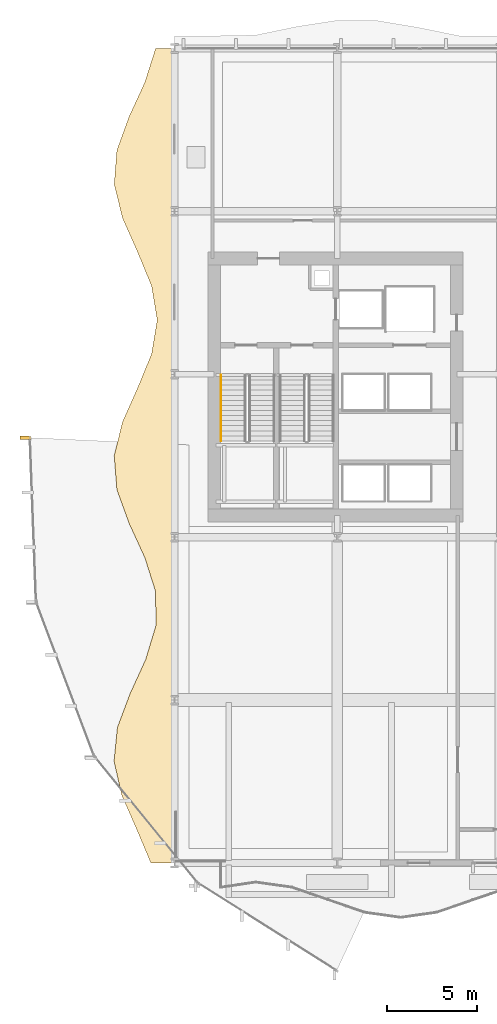
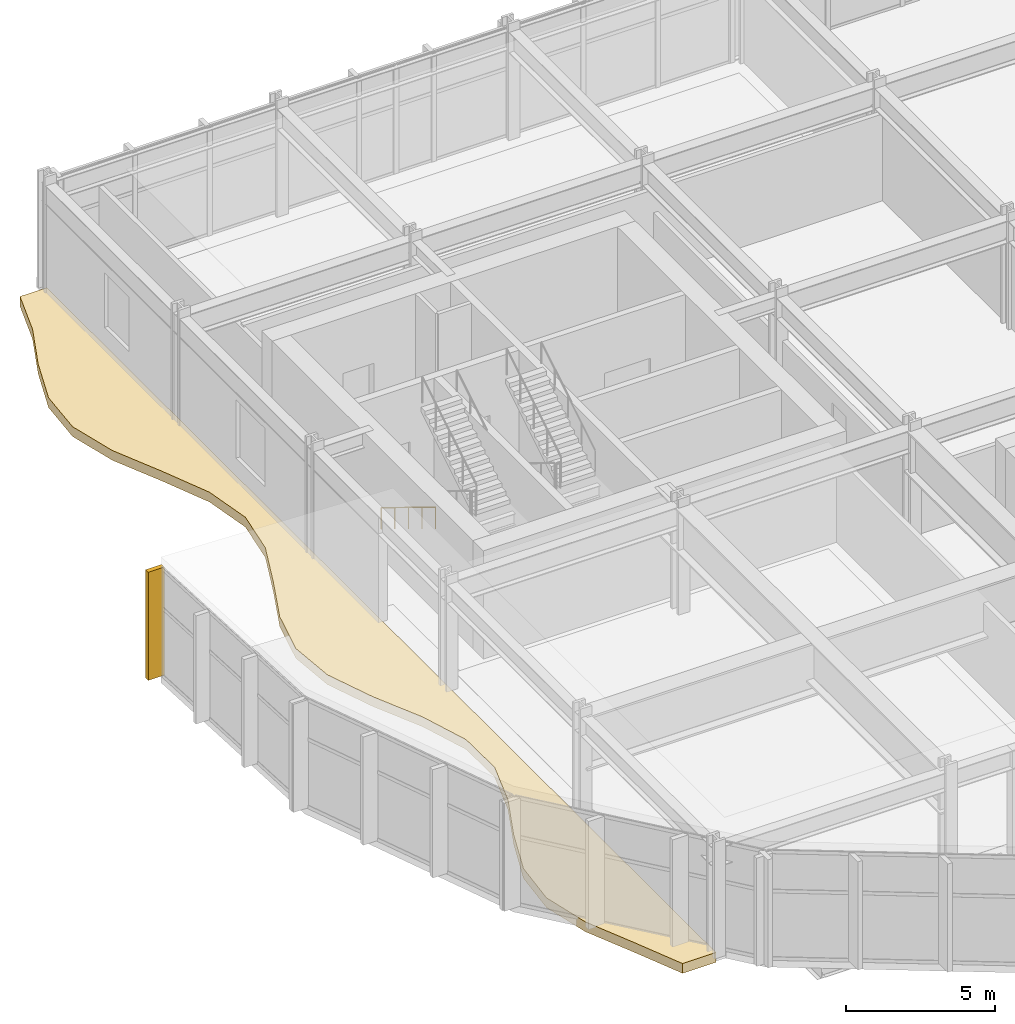
# One storey, part 26 of 31: 2 coverings, 1 railing.
"""IFC4 building model written with IfcOpenShell, lengths in metres."""

from ifc_helpers import new_model, si_unit, direction, frame, origin, origin_2d, place, context, subcontext, project, spatial, polyline, rectangle, circle, outline, extrude, material, layer, layer_set, type_object, element, save


model = new_model("IFC4")

# Units and contexts
model_context = context("Model", 3, precision=1e-05, world=origin(), true_north=direction((0.0, 1.0)))
body_context = subcontext(model_context, "Body", "Model", "MODEL_VIEW")
ifc_project = project(units=[si_unit("LENGTHUNIT", "METRE"), si_unit("AREAUNIT", "SQUARE_METRE"), si_unit("VOLUMEUNIT", "CUBIC_METRE"), si_unit("PLANEANGLEUNIT", "RADIAN"), si_unit("MASSUNIT", "GRAM", prefix="KILO")], contexts=[model_context])

# Site, building, storey
site_placement = place(None, origin())
site = spatial("IfcSite", under=ifc_project, at=site_placement, CompositionType="ELEMENT")
building_placement = place(site_placement, origin())
building = spatial("IfcBuilding", under=site, at=building_placement, Name="Solvaryn Broadcast Tower", CompositionType="ELEMENT")
storey_placement = place(building_placement, frame((0.0, 0.0, 26.0)))
storey = spatial("IfcBuildingStorey", under=building, at=storey_placement, Name="L05", CompositionType="ELEMENT", Elevation=26.0)

# Coverings
ifc_material_1 = material(Name="Extruded Architectural Terracotta Fin", Category="masonry")
ifc_layer_1 = layer(ifc_material_1, 0.179931640625)
ifc_layer_set_1 = layer_set([ifc_layer_1], Name="CV-TC-FIN")
covering_type_1 = type_object("IfcCoveringType", Name="CV-TC-FIN", PredefinedType="USERDEFINED", material=ifc_layer_set_1)
covering_1_placement = place(storey_placement, frame((0.778076171875, 32.489013671875, 0.0), z_axis=(0.0, 0.0, 1.0), x_axis=(1.0, 0.0, 0.0)))
element("IfcCovering", 1, at=covering_1_placement, inside=storey, type_object=covering_type_1, Name="L05 Terracotta Vertical Fin FIN-POD-L05-DC1-00", ObjectType="FIN", PredefinedType="USERDEFINED", context=body_context, shape_type="SweptSolid", body=[
    extrude(rectangle(XDim=0.6201171875, YDim=0.179931640625, at=origin_2d()), origin(), (0.0, 0.0, 1.0), 4.43994140625),
])
ifc_material_2 = material(Name="Sculpted Architectural Terracotta Wave Fascia", Category="masonry")
ifc_layer_2 = layer(ifc_material_2, 0.340087890625)
ifc_layer_set_2 = layer_set([ifc_layer_2], Name="CV-WAVE-TRAY")
covering_type_2 = type_object("IfcCoveringType", Name="CV-WAVE-TRAY", PredefinedType="CLADDING", material=ifc_layer_set_2)
covering_2_placement = place(storey_placement, frame((0.0, 0.0, -0.360107421875)))
element("IfcCovering", 2, at=covering_2_placement, inside=storey, type_object=covering_type_2, Name="L05 Spreading Wave Tray Apron W", PredefinedType="CLADDING", context=body_context, shape_type="SweptSolid", body=[
    extrude(outline(polyline([(9.0, 9.0), (9.0, 10.875), (9.0, 12.75), (9.0, 14.625), (9.0, 16.5), (9.0, 18.375), (9.0, 20.25), (9.0, 22.125), (9.0, 24.0), (9.0, 25.875), (9.0, 27.75), (9.0, 29.625), (9.0, 31.5), (9.0, 33.375), (9.0, 35.25), (9.0, 37.125), (9.0, 39.0), (9.0, 40.875), (9.0, 42.75), (9.0, 44.625), (9.0, 46.5), (9.0, 48.375), (9.0, 50.25), (9.0, 52.125), (9.0, 54.0), (7.958984375, 54.0), (7.363037109375, 52.125), (6.501953125, 50.25), (5.821044921875, 48.375), (5.673095703125, 46.5), (6.135009765625, 44.625), (6.968017578125, 42.75), (7.739013671875, 40.875), (8.050048828125, 39.0), (7.739013671875, 37.125), (6.968017578125, 35.25), (6.135009765625, 33.375), (5.673095703125, 31.5), (5.821044921875, 29.625), (6.501953125, 27.75), (7.363037109375, 25.875), (7.958984375, 24.0), (7.97998046875, 22.125), (7.416015625, 20.25), (6.55810546875, 18.375), (5.85205078125, 16.5), (5.6630859375, 14.625), (6.089111328125, 12.75), (6.908935546875, 10.875), (7.698974609375, 9.0), (9.0, 9.0)])), origin(), (0.0, 0.0, 1.0), 0.400146484375),
])

# Railing
ifc_material_3 = material(Name="Brushed Stainless Steel Tubular Handrail", Category="steel")
railing_type = type_object("IfcRailingType", Name="RL-STAIR-HANDRAIL", PredefinedType="HANDRAIL", material=ifc_material_3)
railing_placement = place(storey_placement, frame((11.570068359375, 35.9599609375, 0.17138671875)))
element("IfcRailing", 3, at=railing_placement, inside=storey, type_object=railing_type, Name="L05 ST1 stair handrail 1", PredefinedType="HANDRAIL", context=body_context, shape_type="SweptSolid", body=[
    extrude(circle(Radius=0.02392578125, at=origin_2d()), frame((0.0, 0.0, 0.8759765625), z_axis=(0.0, -0.852850264322, 0.5221555579), x_axis=(1.0, 0.0, 0.0)), (0.0, 0.0, 1.0), 4.267822265625),
    extrude(circle(Radius=0.02099609375, at=origin_2d()), origin(), (0.0, 0.0, 1.0), 0.851806640625),
    extrude(circle(Radius=0.02099609375, at=origin_2d()), frame((0.0, -0.909912109375, 0.55712890625)), (0.0, 0.0, 1.0), 0.851806640625),
    extrude(circle(Radius=0.02099609375, at=origin_2d()), frame((0.0, -1.81982421875, 1.1142578125)), (0.0, 0.0, 1.0), 0.851806640625),
    extrude(circle(Radius=0.02099609375, at=origin_2d()), frame((0.0, -2.72998046875, 1.67138671875)), (0.0, 0.0, 1.0), 0.851806640625),
    extrude(circle(Radius=0.02099609375, at=origin_2d()), frame((0.0, -3.639892578125, 2.228515625)), (0.0, 0.0, 1.0), 0.851806640625),
])

save(model, "model.ifc")
